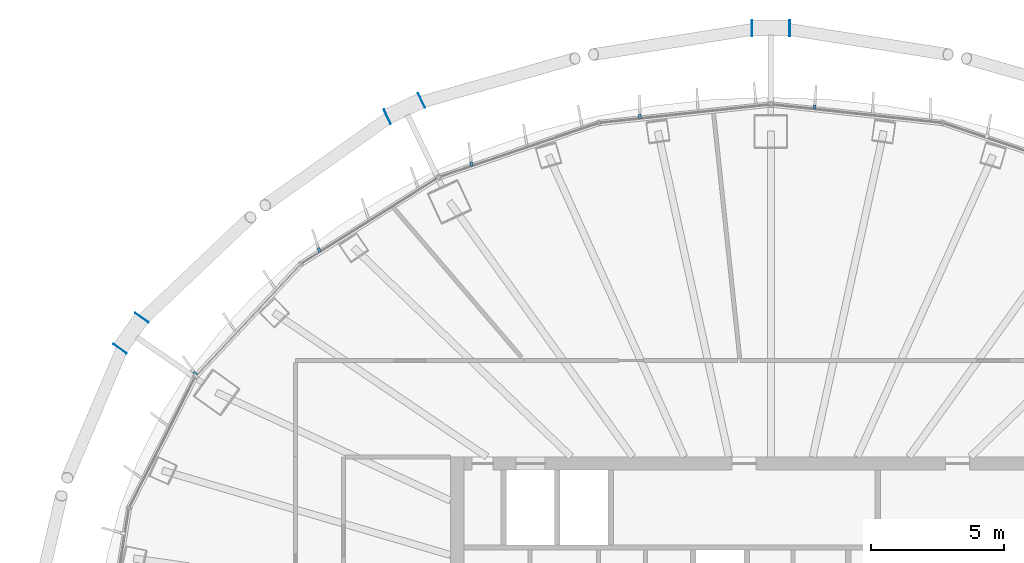
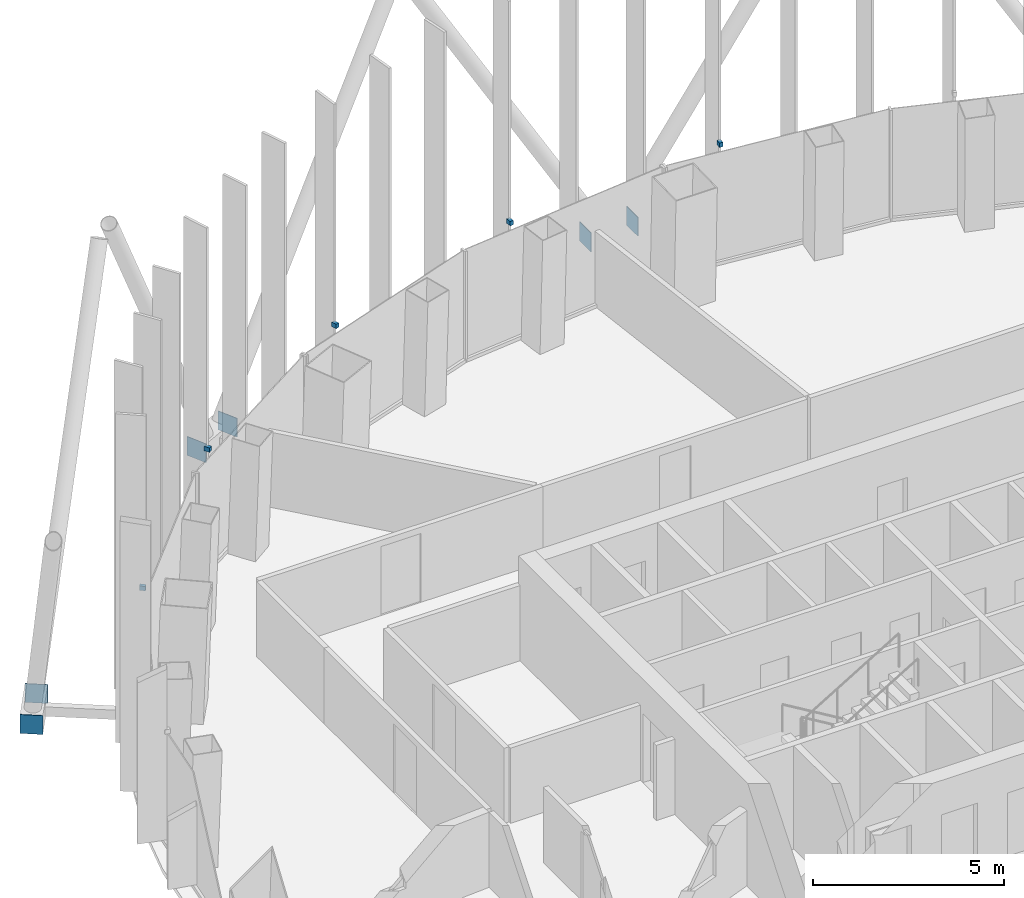
# One storey, part 14 of 19: 11 discrete accessories.
"""IFC4 building model written with IfcOpenShell, lengths in metres."""

from ifc_helpers import new_model, si_unit, direction, frame, origin, origin_2d, place, context, subcontext, project, spatial, rectangle, extrude, material, layer, layer_set, type_object, element, save


model = new_model("IFC4")

# Units and contexts
model_context = context("Model", 3, precision=1e-05, world=origin(), true_north=direction((0.0, 1.0)))
body_context = subcontext(model_context, "Body", "Model", "MODEL_VIEW")
ifc_project = project(units=[si_unit("LENGTHUNIT", "METRE"), si_unit("AREAUNIT", "SQUARE_METRE"), si_unit("VOLUMEUNIT", "CUBIC_METRE"), si_unit("PLANEANGLEUNIT", "RADIAN"), si_unit("MASSUNIT", "GRAM", prefix="KILO")], contexts=[model_context])

# Site, building, storey
site_placement = place(None, origin())
site = spatial("IfcSite", under=ifc_project, at=site_placement, CompositionType="ELEMENT")
building_placement = place(site_placement, origin())
building = spatial("IfcBuilding", under=site, at=building_placement, Name="Siaravel Broadcast Tower", CompositionType="ELEMENT")
storey_placement = place(building_placement, frame((0.0, 0.0, 130.39990234375)))
storey = spatial("IfcBuildingStorey", under=building, at=storey_placement, Name="L31", CompositionType="ELEMENT", Elevation=130.39990234375)

# Discrete accessories
ifc_material_1 = material(Name="Stainless steel 316", Category="steel")
discrete_accessory_type_1 = type_object("IfcDiscreteAccessoryType", Name="Stainless steel fin bracket", PredefinedType="USERDEFINED", material=ifc_material_1)
for number, where, z_axis, x_axis, name in (
    (1, (1.639892578125, 20.2978515625, 3.68505859375), (0.0, 0.0, 1.0), (0.107218518, 0.99423548, 0.0), "Fin bracket L31-16"),
    (2, (-4.902587890625, 19.946044921875, 3.68505859375), (0.0, 0.0, 1.0), (-0.107218518, 0.99423548, 0.0), "Fin bracket L31-19"),
    (3, (-11.2080078125, 18.166259765625, 3.68505859375), (0.0, 0.0, 1.0), (-0.321302287, 0.946976684, 0.0), "Fin bracket L31-22"),
    (4, (-16.914794921875, 14.94580078125, 3.68505859375), (0.0, 0.0, 1.0), (-0.53215093, 0.846649507, 0.0), "Fin bracket L31-25"),
    (5, (-21.556396484375, 10.311279296875, 3.68505859375), (0.0, 0.0, 1.0), (-0.729806802, 0.683653445, 0.0), "Fin bracket L31-28"),
):
    element("IfcDiscreteAccessory", number, at=place(storey_placement, frame(where, z_axis=z_axis, x_axis=x_axis)), inside=storey, type_object=discrete_accessory_type_1, Name=name, ObjectType="BRACKET", PredefinedType="USERDEFINED", context=body_context, shape_type="SweptSolid", body=[
        extrude(rectangle(XDim=0.159912109375, YDim=0.10009765625, at=origin_2d()), origin(), (0.0, 0.0, 1.0), 0.139892578125),
    ])
ifc_material_2 = material(Name="Steel S355", Category="steel")
ifc_layer = layer(ifc_material_2, 0.02001953125)
ifc_layer_set = layer_set([ifc_layer], Name="Steel S355")
discrete_accessory_type_2 = type_object("IfcDiscreteAccessoryType", Name="Steel end plate 20 mm", PredefinedType="USERDEFINED", material=ifc_layer_set)
for number, where, z_axis, x_axis, name in (
    (6, (-0.7099609375, 23.2587890625, -0.5), (0.0, 0.0, 1.0), (-1.0, 0.0, 0.0), "End plate R13 station 18A"),
    (7, (0.7099609375, 23.2587890625, -0.5), (0.0, 0.0, 1.0), (-1.0, 0.0, 0.0), "End plate R13 station 18B"),
    (8, (-14.36376953125, 19.93798828125, -0.5), (0.0, 0.0, 1.0), (-0.904007202, -0.427517227, 0.0), "End plate R13 station 24A"),
    (9, (-13.080322265625, 20.545166015625, -0.5), (0.0, 0.0, 1.0), (-0.904007202, -0.427517227, 0.0), "End plate R13 station 24B"),
    (10, (-24.376220703125, 11.247314453125, -0.5), (0.0, 0.0, 1.0), (-0.576119939, -0.817365167, 0.0), "End plate R13 station 30A"),
    (11, (-23.558349609375, 12.40771484375, -0.5), (0.0, 0.0, 1.0), (-0.576119939, -0.817365167, 0.0), "End plate R13 station 30B"),
):
    element("IfcDiscreteAccessory", number, at=place(storey_placement, frame(where, z_axis=z_axis, x_axis=x_axis)), inside=storey, type_object=discrete_accessory_type_2, Name=name, ObjectType="END PLATE", PredefinedType="USERDEFINED", context=body_context, shape_type="SweptSolid", body=[
        extrude(rectangle(XDim=0.02001953125, YDim=0.60009765625, at=origin_2d()), origin(), (0.0, 0.0, 1.0), 0.60009765625),
    ])

save(model, "model.ifc")
